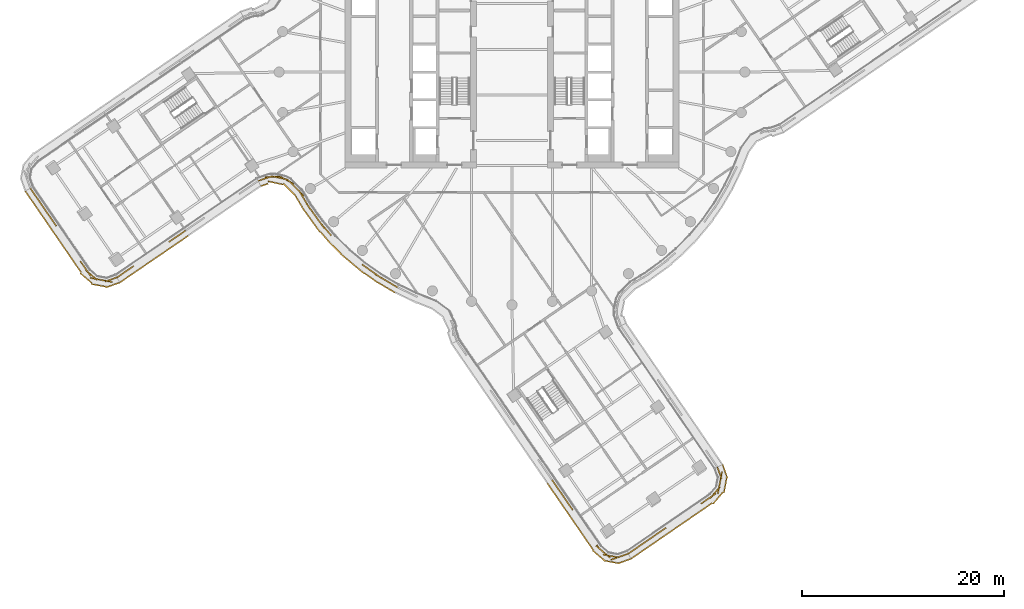
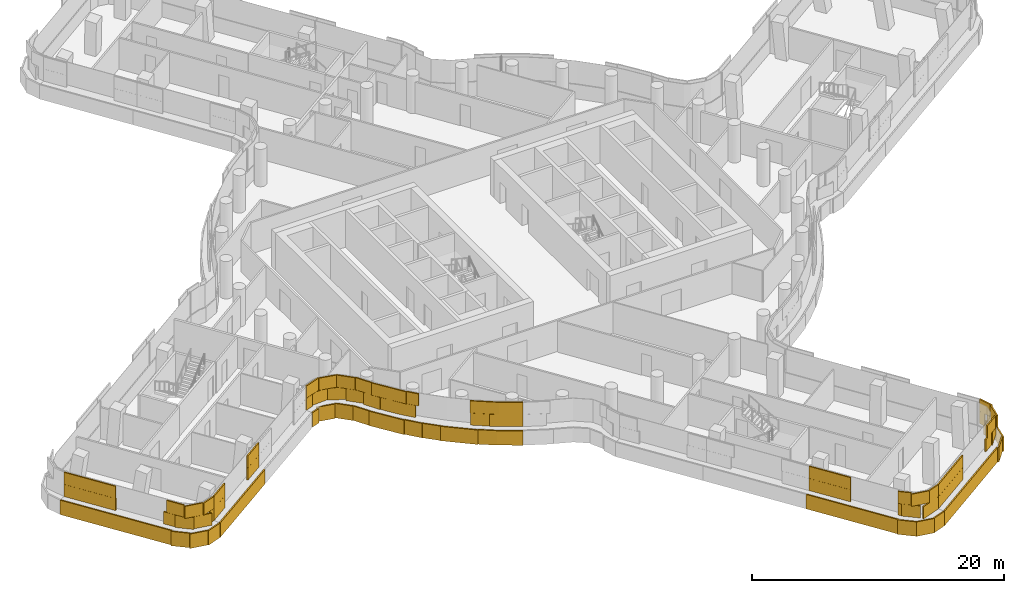
# One storey, part 27 of 33: 5 coverings.
"""IFC4 building model written with IfcOpenShell, lengths in metres."""

import ifcopenshell
import ifcopenshell.guid

model = None  # the IFC model being written
_history = None  # IfcOwnerHistory: only IFC2X3 demands one
_inside = {}  # id of a spatial element -> (the spatial element, [elements in it])
_under = {}  # id of a project, library or spatial element -> (it, [spatial elements below it])
_declared = {}  # id of a project -> (the project, [libraries it declares])
_typed = {}  # id of a type object -> (the type object, [elements of that type])
_made_of = {}  # id of a material, layer set ... -> (it, [elements and type objects made of it])


def new_model(schema):
    """Start an empty IFC model of exactly this schema.

    Asked for "IFC4X3", IfcOpenShell would pick the latest addendum, in which some entities
    have other attributes; the version numbers below select the first issue.
    IFC2X3 requires an IfcOwnerHistory on every rooted entity: one is made here for all.
    """
    global model, _history
    if schema == "IFC4X3":
        model = ifcopenshell.file(schema_version=(4, 3, 0, 0))
    else:
        model = ifcopenshell.file(schema=schema)
    _inside.clear()
    _under.clear()
    _declared.clear()
    _typed.clear()
    _made_of.clear()
    _history = None
    if model.schema == "IFC2X3":
        org = make("IfcOrganization", Name="unknown")
        user = make(
            "IfcPersonAndOrganization",
            ThePerson=make("IfcPerson", FamilyName="unknown"),
            TheOrganization=org,
        )
        app = make(
            "IfcApplication",
            ApplicationDeveloper=org,
            Version="unknown",
            ApplicationFullName="unknown",
            ApplicationIdentifier="unknown",
        )
        _history = make(
            "IfcOwnerHistory",
            OwningUser=user,
            OwningApplication=app,
            ChangeAction="ADDED",
            CreationDate=0,
        )
    return model


def make(cls, **values):
    """One entity of the class cls with the attributes given. An attribute that is None is left unset."""
    return model.create_entity(
        cls, **{name: value for name, value in values.items() if value is not None}
    )


def rooted(cls, **values):
    """An entity with a GlobalId (a new one), such as an element, a storey or a relation."""
    return make(cls, GlobalId=ifcopenshell.guid.new(), OwnerHistory=_history, **values)


def si_unit(unit_type, name, prefix=None):
    """IfcSIUnit, for example si_unit("LENGTHUNIT", "METRE", prefix="MILLI")."""
    return make("IfcSIUnit", UnitType=unit_type, Prefix=prefix, Name=name)


def assignment(units):
    """IfcUnitAssignment: the units of a project."""
    return None if units is None else make("IfcUnitAssignment", Units=units)


def point(xyz):
    """IfcCartesianPoint."""
    return None if xyz is None else make("IfcCartesianPoint", Coordinates=xyz)


def direction(xyz):
    """IfcDirection."""
    return None if xyz is None else make("IfcDirection", DirectionRatios=xyz)


def frame(location, z_axis=None, x_axis=None):
    """IfcAxis2Placement3D, a coordinate frame: its origin and axes. An axis left out is left unset."""
    return make(
        "IfcAxis2Placement3D",
        Location=point(location),
        Axis=direction(z_axis),
        RefDirection=direction(x_axis),
    )


def frame_2d(location, x_axis=None):
    """IfcAxis2Placement2D, a coordinate frame in the plane: its origin and x axis."""
    return make(
        "IfcAxis2Placement2D", Location=point(location), RefDirection=direction(x_axis)
    )


def origin():
    """The frame at (0, 0, 0) with its axes left unset."""
    return frame((0.0, 0.0, 0.0))


def origin_2d():
    """The frame at (0, 0) in the plane with its x axis left unset."""
    return frame_2d((0.0, 0.0))


def place(relative_to, where):
    """IfcLocalPlacement: puts the frame where relative to a parent placement (None: the world)."""
    return make(
        "IfcLocalPlacement", PlacementRelTo=relative_to, RelativePlacement=where
    )


def context(
    kind, dimensions, precision=None, world=None, true_north=None, identifier=None
):
    """IfcGeometricRepresentationContext, for example the 3D "Model" context."""
    return make(
        "IfcGeometricRepresentationContext",
        ContextIdentifier=identifier,
        ContextType=kind,
        CoordinateSpaceDimension=dimensions,
        Precision=precision,
        WorldCoordinateSystem=world,
        TrueNorth=true_north,
    )


def subcontext(parent, identifier, kind, view, scale=None):
    """IfcGeometricRepresentationSubContext, for example "Body" below "Model"."""
    return make(
        "IfcGeometricRepresentationSubContext",
        ContextIdentifier=identifier,
        ContextType=kind,
        ParentContext=parent,
        TargetScale=scale,
        TargetView=view,
    )


def project(units=None, contexts=None):
    """IfcProject with its units and contexts."""
    return rooted(
        "IfcProject",
        Name="project",
        RepresentationContexts=contexts,
        UnitsInContext=assignment(units),
    )


def spatial(cls, under=None, at=None, **own):
    """A site, building, storey or space (cls), placed at a placement, below another one or the project."""
    s = rooted(cls, ObjectPlacement=at, **own)
    if under is not None:
        _under.setdefault(under.id(), (under, []))[1].append(s)
    return s


def profile(cls, at=None, kind="AREA", **sizes):
    """A parametric profile (cls). Its sizes go by their IFC names, for example OverallWidth=200.0."""
    return make(cls, ProfileType=kind, Position=at, **sizes)


def rectangle(**sizes):
    """IfcRectangleProfileDef."""
    return profile("IfcRectangleProfileDef", **sizes)


def extrude(swept, where, along, depth):
    """IfcExtrudedAreaSolid: the profile swept, set in the frame where, extruded along a direction by depth."""
    return make(
        "IfcExtrudedAreaSolid",
        SweptArea=swept,
        Position=where,
        ExtrudedDirection=direction(along),
        Depth=depth,
    )


def shape(context_of_items, identifier, shape_type, items):
    """IfcShapeRepresentation: the items that make up one representation, for example the "Body"."""
    return make(
        "IfcShapeRepresentation",
        ContextOfItems=context_of_items,
        RepresentationIdentifier=identifier,
        RepresentationType=shape_type,
        Items=items,
    )


def material(Name=None, Category=None):
    """IfcMaterial."""
    return make("IfcMaterial", Name=Name, Category=Category)


def layer(
    of_material, thickness, ventilated=None, Name=None, Category=None, Priority=None
):
    """IfcMaterialLayer: one layer of a wall or slab, of a material (None: an air gap)."""
    return make(
        "IfcMaterialLayer",
        Material=of_material,
        LayerThickness=thickness,
        IsVentilated=ventilated,
        Name=Name,
        Category=Category,
        Priority=Priority,
    )


def layer_set(layers, Name=None):
    """IfcMaterialLayerSet."""
    return make("IfcMaterialLayerSet", MaterialLayers=layers, LayerSetName=Name)


def made_of(thing, what):
    """Note that an element or type object is made of a material, layer set ...; save() writes the relation."""
    if what is not None:
        _made_of.setdefault(what.id(), (what, []))[1].append(thing)
    return thing


def type_object(cls, material=None, **own):
    """A type object (cls), such as IfcWallType, which elements share."""
    return made_of(rooted(cls, **own), material)


def element(
    cls,
    number,
    at=None,
    inside=None,
    cuts=None,
    type_object=None,
    material=None,
    context=None,
    identifier="Body",
    shape_type=None,
    held_by="IfcProductDefinitionShape",
    body=None,
    shapes=None,
    **own,
):
    """One element of the class cls, such as IfcWall. Its Tag is "e" and its number.

    at: its placement. inside: the storey or other place that contains it. cuts: it is an
    opening in that element (IfcRelVoidsElement). A single representation is given by context,
    identifier, shape_type and body (its items); several are given by shapes. held_by: the class
    of the entity that holds the representations. save() writes the other relations.
    """
    e = rooted(cls, Tag="e%d" % number, ObjectPlacement=at, **own)
    if body is not None:
        shapes = [shape(context, identifier, shape_type, body)]
    if shapes is not None:
        e.Representation = make(held_by, Representations=shapes)
    if inside is not None:
        _inside.setdefault(inside.id(), (inside, []))[1].append(e)
    if cuts is not None:
        rooted(
            "IfcRelVoidsElement", RelatingBuildingElement=cuts, RelatedOpeningElement=e
        )
    if type_object is not None:
        _typed.setdefault(type_object.id(), (type_object, []))[1].append(e)
    return made_of(e, material)


def aggregate(whole, parts):
    """IfcRelAggregates: a whole, such as a stair, and the parts it consists of."""
    return rooted("IfcRelAggregates", RelatingObject=whole, RelatedObjects=parts)


def save(model, path):
    """Write the relations noted so far, then the file.

    IfcRelAggregates (storeys below a building ...), IfcRelContainedInSpatialStructure (elements
    in a storey), IfcRelDefinesByType, IfcRelAssociatesMaterial and IfcRelDeclares: one each for
    every whole, place, type object, material and project.
    """
    for whole, parts in _under.values():
        aggregate(whole, parts)
    for where, things in _inside.values():
        rooted(
            "IfcRelContainedInSpatialStructure",
            RelatedElements=things,
            RelatingStructure=where,
        )
    for kind, things in _typed.values():
        rooted("IfcRelDefinesByType", RelatedObjects=things, RelatingType=kind)
    for what, things in _made_of.values():
        rooted("IfcRelAssociatesMaterial", RelatedObjects=things, RelatingMaterial=what)
    for by, libraries in _declared.values():
        rooted("IfcRelDeclares", RelatingContext=by, RelatedDefinitions=libraries)
    model.write(path)


model = new_model("IFC4")

# Units and contexts
model_context = context("Model", 3, precision=1e-05, world=origin(), true_north=direction((0.0, 1.0)))
body_context = subcontext(model_context, "Body", "Model", "MODEL_VIEW")
ifc_project = project(units=[si_unit("LENGTHUNIT", "METRE"), si_unit("AREAUNIT", "SQUARE_METRE"), si_unit("VOLUMEUNIT", "CUBIC_METRE"), si_unit("PLANEANGLEUNIT", "RADIAN"), si_unit("MASSUNIT", "GRAM", prefix="KILO")], contexts=[model_context])

# Site, building, storey
site_placement = place(None, origin())
site = spatial("IfcSite", under=ifc_project, at=site_placement, CompositionType="ELEMENT")
building_placement = place(site_placement, origin())
building = spatial("IfcBuilding", under=site, at=building_placement, Name="Tamarind Cross Interchange Tower", CompositionType="ELEMENT")
storey_placement = place(building_placement, frame((0.0, 0.0, 159.25)))
storey = spatial("IfcBuildingStorey", under=building, at=storey_placement, Name="L39", CompositionType="ELEMENT", Elevation=159.25)

# Coverings
ifc_material = material(Name="Terracotta", Category="masonry")
ifc_layer = layer(ifc_material, 0.1201171875)
ifc_layer_set = layer_set([ifc_layer], Name="Terracotta")
covering_type = type_object("IfcCoveringType", Name="Terracotta baguette screen unit", PredefinedType="MOLDING", material=ifc_layer_set)
covering_1_placement = place(storey_placement, origin())
element("IfcCovering", 1, at=covering_1_placement, inside=storey, type_object=covering_type, Name="SCR-L39-00-00", PredefinedType="MOLDING", context=body_context, shape_type="SweptSolid", body=[
    extrude(rectangle(XDim=0.760009765625, YDim=0.1201171875, at=origin_2d()), frame((-47.36328125, -11.792724609375, 1.404052734375), z_axis=(0.0, 0.0, 1.0), x_axis=(0.566095508429, -0.824339660174, 0.0)), (0.0, 0.0, 1.0), 1.1669921875),
    extrude(rectangle(XDim=1.52001953125, YDim=0.1201171875, at=origin_2d()), frame((-46.7265625, -12.72021484375, 1.404052734375), z_axis=(0.0, 0.0, 1.0), x_axis=(0.566095508429, -0.824339660174, 0.0)), (0.0, 0.0, 1.0), 1.1669921875),
    extrude(rectangle(XDim=1.52001953125, YDim=0.1201171875, at=origin_2d()), frame((-45.87744140625, -13.956787109375, 1.404052734375), z_axis=(0.0, 0.0, 1.0), x_axis=(0.566095508429, -0.824339660174, 0.0)), (0.0, 0.0, 1.0), 1.1669921875),
    extrude(rectangle(XDim=0.784912109375, YDim=0.1201171875, at=origin_2d()), frame((-45.2333984375, -14.894287109375, 1.404052734375), z_axis=(0.0, 0.0, 1.0), x_axis=(0.566095508429, -0.824339660174, 0.0)), (0.0, 0.0, 1.0), 1.1669921875),
    extrude(rectangle(XDim=1.03515625, YDim=0.1201171875, at=origin_2d()), frame((-42.346435546875, -19.098388671875, 1.404052734375), z_axis=(0.0, 0.0, 1.0), x_axis=(0.566095508429, -0.824339660174, 0.0)), (0.0, 0.0, 1.0), 1.1669921875),
    extrude(rectangle(XDim=1.52001953125, YDim=0.1201171875, at=origin_2d()), frame((-41.539306640625, -20.05615234375, 1.404052734375), z_axis=(0.0, 0.0, 1.0), x_axis=(0.760161075424, -0.649734668468, 0.0)), (0.0, 0.0, 1.0), 1.1669921875),
    extrude(rectangle(XDim=1.52001953125, YDim=0.1201171875, at=origin_2d()), frame((-40.197265625, -20.60791015625, 1.404052734375), z_axis=(0.0, 0.0, 1.0), x_axis=(0.98318613652, -0.182606190901, 0.0)), (0.0, 0.0, 1.0), 1.1669921875),
    extrude(rectangle(XDim=0.509521484375, YDim=0.1201171875, at=origin_2d()), frame((-39.247314453125, -20.366455078125, 1.404052734375), z_axis=(0.0, 0.0, 1.0), x_axis=(0.942767266325, 0.333451468051, 0.0)), (0.0, 0.0, 1.0), 1.1669921875),
    extrude(rectangle(XDim=1.510009765625, YDim=0.1201171875, at=origin_2d()), frame((-47.151123046875, -12.101806640625, 2.5791015625), z_axis=(0.0, 0.0, 1.0), x_axis=(0.566095508429, -0.824339660174, 0.0)), (0.0, 0.0, 1.0), 1.1669921875),
    extrude(rectangle(XDim=1.52001953125, YDim=0.1201171875, at=origin_2d()), frame((-46.302001953125, -13.33837890625, 2.5791015625), z_axis=(0.0, 0.0, 1.0), x_axis=(0.566095508429, -0.824339660174, 0.0)), (0.0, 0.0, 1.0), 1.1669921875),
    extrude(rectangle(XDim=1.52001953125, YDim=0.1201171875, at=origin_2d()), frame((-45.452880859375, -14.574951171875, 2.5791015625), z_axis=(0.0, 0.0, 1.0), x_axis=(0.566095508429, -0.824339660174, 0.0)), (0.0, 0.0, 1.0), 1.1669921875),
    extrude(rectangle(XDim=1.52001953125, YDim=0.1201171875, at=origin_2d()), frame((-42.05615234375, -19.52099609375, 2.5791015625), z_axis=(0.0, 0.0, 1.0), x_axis=(0.566095508429, -0.824339660174, 0.0)), (0.0, 0.0, 1.0), 1.1669921875),
    extrude(rectangle(XDim=1.52001953125, YDim=0.1201171875, at=origin_2d()), frame((-40.9345703125, -20.470947265625, 2.5791015625), z_axis=(0.0, 0.0, 1.0), x_axis=(0.98318613652, -0.182606190901, 0.0)), (0.0, 0.0, 1.0), 1.1669921875),
    extrude(rectangle(XDim=1.259521484375, YDim=0.1201171875, at=origin_2d()), frame((-39.600830078125, -20.49169921875, 2.5791015625), z_axis=(0.0, 0.0, 1.0), x_axis=(0.942767266325, 0.333451468051, 0.0)), (0.0, 0.0, 1.0), 1.1669921875),
    extrude(rectangle(XDim=0.760009765625, YDim=0.1201171875, at=origin_2d()), frame((-47.87646484375, -12.0595703125, 0.00390625), z_axis=(0.0, 0.0, 1.0), x_axis=(0.566095508429, -0.824339660174, 0.0)), (0.0, 0.0, 1.0), 1.39208984375),
    extrude(rectangle(XDim=1.52001953125, YDim=0.1201171875, at=origin_2d()), frame((-47.242431640625, -12.98291015625, 0.00390625), z_axis=(0.0, 0.0, 1.0), x_axis=(0.566095508429, -0.824339660174, 0.0)), (0.0, 0.0, 1.0), 1.39208984375),
    extrude(rectangle(XDim=1.52001953125, YDim=0.1201171875, at=origin_2d()), frame((-46.393310546875, -14.21923828125, 0.00390625), z_axis=(0.0, 0.0, 1.0), x_axis=(0.566095508429, -0.824339660174, 0.0)), (0.0, 0.0, 1.0), 1.39208984375),
    extrude(rectangle(XDim=1.52001953125, YDim=0.1201171875, at=origin_2d()), frame((-45.544189453125, -15.455810546875, 0.00390625), z_axis=(0.0, 0.0, 1.0), x_axis=(0.566095508429, -0.824339660174, 0.0)), (0.0, 0.0, 1.0), 1.39208984375),
    extrude(rectangle(XDim=1.52001953125, YDim=0.1201171875, at=origin_2d()), frame((-44.695068359375, -16.6923828125, 0.00390625), z_axis=(0.0, 0.0, 1.0), x_axis=(0.566095508429, -0.824339660174, 0.0)), (0.0, 0.0, 1.0), 1.39208984375),
    extrude(rectangle(XDim=1.52001953125, YDim=0.1201171875, at=origin_2d()), frame((-43.845947265625, -17.928955078125, 0.00390625), z_axis=(0.0, 0.0, 1.0), x_axis=(0.566095508429, -0.824339660174, 0.0)), (0.0, 0.0, 1.0), 1.39208984375),
    extrude(rectangle(XDim=1.52001953125, YDim=0.1201171875, at=origin_2d()), frame((-42.996826171875, -19.165283203125, 0.00390625), z_axis=(0.0, 0.0, 1.0), x_axis=(0.566095508429, -0.824339660174, 0.0)), (0.0, 0.0, 1.0), 1.39208984375),
    extrude(rectangle(XDim=1.52001953125, YDim=0.1201171875, at=origin_2d()), frame((-42.08447265625, -20.344970703125, 0.00390625), z_axis=(0.0, 0.0, 1.0), x_axis=(0.760161075424, -0.649734668468, 0.0)), (0.0, 0.0, 1.0), 1.39208984375),
    extrude(rectangle(XDim=1.52001953125, YDim=0.1201171875, at=origin_2d()), frame((-40.827392578125, -21.07470703125, 0.00390625), z_axis=(0.0, 0.0, 1.0), x_axis=(0.98318613652, -0.182606190901, 0.0)), (0.0, 0.0, 1.0), 1.39208984375),
    extrude(rectangle(XDim=1.426513671875, YDim=0.1201171875, at=origin_2d()), frame((-39.422119140625, -21.037353515625, 0.00390625), z_axis=(0.0, 0.0, 1.0), x_axis=(0.942767266325, 0.333451468051, 0.0)), (0.0, 0.0, 1.0), 1.39208984375),
])
covering_2_placement = place(storey_placement, origin())
element("IfcCovering", 2, at=covering_2_placement, inside=storey, type_object=covering_type, Name="SCR-L39-01-00", PredefinedType="MOLDING", context=body_context, shape_type="SweptSolid", body=[
    extrude(rectangle(XDim=0.760009765625, YDim=0.1201171875, at=origin_2d()), frame((-38.702392578125, -20.07177734375, 1.404052734375), z_axis=(0.0, 0.0, 1.0), x_axis=(0.825569418072, 0.564300572341, 0.0)), (0.0, 0.0, 1.0), 1.1669921875),
    extrude(rectangle(XDim=1.2568359375, YDim=0.1201171875, at=origin_2d()), frame((-37.8779296875, -19.50830078125, 1.404052734375), z_axis=(0.0, 0.0, 1.0), x_axis=(0.825569418072, 0.564300572341, 0.0)), (0.0, 0.0, 1.0), 1.1669921875),
    extrude(rectangle(XDim=0.563232421875, YDim=0.1201171875, at=origin_2d()), frame((-33.667724609375, -16.63037109375, 1.404052734375), z_axis=(0.0, 0.0, 1.0), x_axis=(0.825569418072, 0.564300572341, 0.0)), (0.0, 0.0, 1.0), 1.1669921875),
    extrude(rectangle(XDim=1.45361328125, YDim=0.1201171875, at=origin_2d()), frame((-32.84326171875, -16.06689453125, 1.404052734375), z_axis=(0.0, 0.0, 1.0), x_axis=(0.825569418072, 0.564300572341, 0.0)), (0.0, 0.0, 1.0), 1.1669921875),
    extrude(rectangle(XDim=1.510009765625, YDim=0.1201171875, at=origin_2d()), frame((-38.392578125, -19.860107421875, 2.5791015625), z_axis=(0.0, 0.0, 1.0), x_axis=(0.825569418072, 0.564300572341, 0.0)), (0.0, 0.0, 1.0), 1.1669921875),
    extrude(rectangle(XDim=0.5068359375, YDim=0.1201171875, at=origin_2d()), frame((-37.568359375, -19.296630859375, 2.5791015625), z_axis=(0.0, 0.0, 1.0), x_axis=(0.825569418072, 0.564300572341, 0.0)), (0.0, 0.0, 1.0), 1.1669921875),
    extrude(rectangle(XDim=1.313232421875, YDim=0.1201171875, at=origin_2d()), frame((-33.35791015625, -16.418701171875, 2.5791015625), z_axis=(0.0, 0.0, 1.0), x_axis=(0.825569418072, 0.564300572341, 0.0)), (0.0, 0.0, 1.0), 1.1669921875),
    extrude(rectangle(XDim=0.70361328125, YDim=0.1201171875, at=origin_2d()), frame((-32.53369140625, -15.855224609375, 2.5791015625), z_axis=(0.0, 0.0, 1.0), x_axis=(0.825569418072, 0.564300572341, 0.0)), (0.0, 0.0, 1.0), 1.1669921875),
    extrude(rectangle(XDim=0.760009765625, YDim=0.1201171875, at=origin_2d()), frame((-38.43603515625, -20.5849609375, 0.00390625), z_axis=(0.0, 0.0, 1.0), x_axis=(0.825569418072, 0.564300572341, 0.0)), (0.0, 0.0, 1.0), 1.39208984375),
    extrude(rectangle(XDim=1.52001953125, YDim=0.1201171875, at=origin_2d()), frame((-37.511474609375, -19.952880859375, 0.00390625), z_axis=(0.0, 0.0, 1.0), x_axis=(0.825569418072, 0.564300572341, 0.0)), (0.0, 0.0, 1.0), 1.39208984375),
    extrude(rectangle(XDim=1.52001953125, YDim=0.1201171875, at=origin_2d()), frame((-36.273193359375, -19.1064453125, 0.00390625), z_axis=(0.0, 0.0, 1.0), x_axis=(0.825569418072, 0.564300572341, 0.0)), (0.0, 0.0, 1.0), 1.39208984375),
    extrude(rectangle(XDim=1.52001953125, YDim=0.1201171875, at=origin_2d()), frame((-35.03466796875, -18.260009765625, 0.00390625), z_axis=(0.0, 0.0, 1.0), x_axis=(0.825569418072, 0.564300572341, 0.0)), (0.0, 0.0, 1.0), 1.39208984375),
    extrude(rectangle(XDim=1.52001953125, YDim=0.1201171875, at=origin_2d()), frame((-33.79638671875, -17.41357421875, 0.00390625), z_axis=(0.0, 0.0, 1.0), x_axis=(0.825569418072, 0.564300572341, 0.0)), (0.0, 0.0, 1.0), 1.39208984375),
    extrude(rectangle(XDim=1.4521484375, YDim=0.1201171875, at=origin_2d()), frame((-32.5859375, -16.58642578125, 0.00390625), z_axis=(0.0, 0.0, 1.0), x_axis=(0.825569418072, 0.564300572341, 0.0)), (0.0, 0.0, 1.0), 1.39208984375),
])
covering_3_placement = place(storey_placement, origin())
element("IfcCovering", 3, at=covering_3_placement, inside=storey, type_object=covering_type, Name="SCR-L39-02-00", PredefinedType="MOLDING", context=body_context, shape_type="SweptSolid", body=[
    extrude(rectangle(XDim=0.760009765625, YDim=0.1201171875, at=origin_2d()), frame((-24.71875, -10.635009765625, 1.404052734375), z_axis=(0.0, 0.0, 1.0), x_axis=(0.946291071378, 0.323315957278, 0.0)), (0.0, 0.0, 1.0), 1.1669921875),
    extrude(rectangle(XDim=1.52001953125, YDim=0.1201171875, at=origin_2d()), frame((-23.6376953125, -10.356689453125, 1.404052734375), z_axis=(0.0, 0.0, 1.0), x_axis=(0.998392899356, 0.056671143595, 0.0)), (0.0, 0.0, 1.0), 1.1669921875),
    extrude(rectangle(XDim=1.52001953125, YDim=0.1201171875, at=origin_2d()), frame((-22.194091796875, -10.6982421875, 1.404052734375), z_axis=(0.0, 0.0, 1.0), x_axis=(0.883104175136, -0.469176955805, 0.0)), (0.0, 0.0, 1.0), 1.1669921875),
    extrude(rectangle(XDim=1.52001953125, YDim=0.1201171875, at=origin_2d()), frame((-21.093994140625, -11.705322265625, 1.404052734375), z_axis=(0.0, 0.0, 1.0), x_axis=(0.706797406726, -0.707416020348, 0.0)), (0.0, 0.0, 1.0), 1.1669921875),
    extrude(rectangle(XDim=1.52001953125, YDim=0.1201171875, at=origin_2d()), frame((-20.2861328125, -12.963623046875, 1.404052734375), z_axis=(0.0, 0.0, 1.0), x_axis=(0.51624774387, -0.856439295542, 0.0)), (0.0, 0.0, 1.0), 1.1669921875),
    extrude(rectangle(XDim=1.52001953125, YDim=0.1201171875, at=origin_2d()), frame((-19.432861328125, -14.1962890625, 1.404052734375), z_axis=(0.0, 0.0, 1.0), x_axis=(0.584573890505, -0.811340475102, 0.0)), (0.0, 0.0, 1.0), 1.1669921875),
    extrude(rectangle(XDim=1.52001953125, YDim=0.1201171875, at=origin_2d()), frame((-18.512939453125, -15.37939453125, 1.404052734375), z_axis=(0.0, 0.0, 1.0), x_axis=(0.64957723968, -0.760295606781, 0.0)), (0.0, 0.0, 1.0), 1.1669921875),
    extrude(rectangle(XDim=1.52001953125, YDim=0.1201171875, at=origin_2d()), frame((-14.148193359375, -19.4697265625, 1.404052734375), z_axis=(0.0, 0.0, 1.0), x_axis=(0.816341886298, -0.577568978284, 0.0)), (0.0, 0.0, 1.0), 1.1669921875),
    extrude(rectangle(XDim=1.52001953125, YDim=0.1201171875, at=origin_2d()), frame((-12.914794921875, -20.322021484375, 1.404052734375), z_axis=(0.0, 0.0, 1.0), x_axis=(0.861248933065, -0.508183308752, 0.0)), (0.0, 0.0, 1.0), 1.1669921875),
    extrude(rectangle(XDim=1.141845703125, YDim=0.1201171875, at=origin_2d()), frame((-11.781494140625, -20.99072265625, 1.404052734375), z_axis=(0.0, 0.0, 1.0), x_axis=(0.861248933065, -0.508183308752, 0.0)), (0.0, 0.0, 1.0), 1.1669921875),
    extrude(rectangle(XDim=1.510009765625, YDim=0.1201171875, at=origin_2d()), frame((-24.364013671875, -10.513671875, 2.5791015625), z_axis=(0.0, 0.0, 1.0), x_axis=(0.946291071378, 0.323315957278, 0.0)), (0.0, 0.0, 1.0), 1.1669921875),
    extrude(rectangle(XDim=1.52001953125, YDim=0.1201171875, at=origin_2d()), frame((-22.901123046875, -10.467529296875, 2.5791015625), z_axis=(0.0, 0.0, 1.0), x_axis=(0.976799296806, -0.214156797137, 0.0)), (0.0, 0.0, 1.0), 1.1669921875),
    extrude(rectangle(XDim=1.52001953125, YDim=0.1201171875, at=origin_2d()), frame((-21.6240234375, -11.174560546875, 2.5791015625), z_axis=(0.0, 0.0, 1.0), x_axis=(0.706797406726, -0.707416020348, 0.0)), (0.0, 0.0, 1.0), 1.1669921875),
    extrude(rectangle(XDim=1.52001953125, YDim=0.1201171875, at=origin_2d()), frame((-20.673095703125, -12.3212890625, 2.5791015625), z_axis=(0.0, 0.0, 1.0), x_axis=(0.51624774387, -0.856439295542, 0.0)), (0.0, 0.0, 1.0), 1.1669921875),
    extrude(rectangle(XDim=1.52001953125, YDim=0.1201171875, at=origin_2d()), frame((-19.871337890625, -13.587890625, 2.5791015625), z_axis=(0.0, 0.0, 1.0), x_axis=(0.584573890505, -0.811340475102, 0.0)), (0.0, 0.0, 1.0), 1.1669921875),
    extrude(rectangle(XDim=1.52001953125, YDim=0.1201171875, at=origin_2d()), frame((-18.994384765625, -14.804931640625, 2.5791015625), z_axis=(0.0, 0.0, 1.0), x_axis=(0.584573890505, -0.811340475102, 0.0)), (0.0, 0.0, 1.0), 1.1669921875),
    extrude(rectangle(XDim=1.002685546875, YDim=0.1201171875, at=origin_2d()), frame((-18.1904296875, -15.7568359375, 2.5791015625), z_axis=(0.0, 0.0, 1.0), x_axis=(0.64957723968, -0.760295606781, 0.0)), (0.0, 0.0, 1.0), 1.1669921875),
    extrude(rectangle(XDim=0.8173828125, YDim=0.1201171875, at=origin_2d()), frame((-14.477783203125, -19.236572265625, 2.5791015625), z_axis=(0.0, 0.0, 1.0), x_axis=(0.816341886298, -0.577568978284, 0.0)), (0.0, 0.0, 1.0), 1.1669921875),
    extrude(rectangle(XDim=1.52001953125, YDim=0.1201171875, at=origin_2d()), frame((-13.535888671875, -19.90283203125, 2.5791015625), z_axis=(0.0, 0.0, 1.0), x_axis=(0.816341886298, -0.577568978284, 0.0)), (0.0, 0.0, 1.0), 1.1669921875),
    extrude(rectangle(XDim=1.52001953125, YDim=0.1201171875, at=origin_2d()), frame((-12.268798828125, -20.703369140625, 2.5791015625), z_axis=(0.0, 0.0, 1.0), x_axis=(0.861248933065, -0.508183308752, 0.0)), (0.0, 0.0, 1.0), 1.1669921875),
    extrude(rectangle(XDim=0.391845703125, YDim=0.1201171875, at=origin_2d()), frame((-11.45849609375, -21.181396484375, 2.5791015625), z_axis=(0.0, 0.0, 1.0), x_axis=(0.861248933065, -0.508183308752, 0.0)), (0.0, 0.0, 1.0), 1.1669921875),
    extrude(rectangle(XDim=0.760009765625, YDim=0.1201171875, at=origin_2d()), frame((-24.45458984375, -11.151123046875, 0.00390625), z_axis=(0.0, 0.0, 1.0), x_axis=(0.946291071378, 0.323315957278, 0.0)), (0.0, 0.0, 1.0), 1.39208984375),
    extrude(rectangle(XDim=1.52001953125, YDim=0.1201171875, at=origin_2d()), frame((-23.372802734375, -10.95166015625, 0.00390625), z_axis=(0.0, 0.0, 1.0), x_axis=(0.976799296806, -0.214156797137, 0.0)), (0.0, 0.0, 1.0), 1.39208984375),
    extrude(rectangle(XDim=1.52001953125, YDim=0.1201171875, at=origin_2d()), frame((-22.049560546875, -11.560791015625, 0.00390625), z_axis=(0.0, 0.0, 1.0), x_axis=(0.706797406726, -0.707416020348, 0.0)), (0.0, 0.0, 1.0), 1.39208984375),
    extrude(rectangle(XDim=1.52001953125, YDim=0.1201171875, at=origin_2d()), frame((-21.10693359375, -12.7138671875, 0.00390625), z_axis=(0.0, 0.0, 1.0), x_axis=(0.51624774387, -0.856439295542, 0.0)), (0.0, 0.0, 1.0), 1.39208984375),
    extrude(rectangle(XDim=1.52001953125, YDim=0.1201171875, at=origin_2d()), frame((-20.298828125, -13.976318359375, 0.00390625), z_axis=(0.0, 0.0, 1.0), x_axis=(0.584573890505, -0.811340475102, 0.0)), (0.0, 0.0, 1.0), 1.39208984375),
    extrude(rectangle(XDim=1.52001953125, YDim=0.1201171875, at=origin_2d()), frame((-19.422119140625, -15.193115234375, 0.00390625), z_axis=(0.0, 0.0, 1.0), x_axis=(0.584573890505, -0.811340475102, 0.0)), (0.0, 0.0, 1.0), 1.39208984375),
    extrude(rectangle(XDim=1.52001953125, YDim=0.1201171875, at=origin_2d()), frame((-18.45068359375, -16.3359375, 0.00390625), z_axis=(0.0, 0.0, 1.0), x_axis=(0.64957723968, -0.760295606781, 0.0)), (0.0, 0.0, 1.0), 1.39208984375),
    extrude(rectangle(XDim=1.52001953125, YDim=0.1201171875, at=origin_2d()), frame((-17.4208984375, -17.425048828125, 0.00390625), z_axis=(0.0, 0.0, 1.0), x_axis=(0.710143317658, -0.704057148523, 0.0)), (0.0, 0.0, 1.0), 1.39208984375),
    extrude(rectangle(XDim=1.52001953125, YDim=0.1201171875, at=origin_2d()), frame((-16.33447265625, -18.4580078125, 0.00390625), z_axis=(0.0, 0.0, 1.0), x_axis=(0.765858396687, -0.643009266048, 0.0)), (0.0, 0.0, 1.0), 1.39208984375),
    extrude(rectangle(XDim=1.52001953125, YDim=0.1201171875, at=origin_2d()), frame((-15.185791015625, -19.42236328125, 0.00390625), z_axis=(0.0, 0.0, 1.0), x_axis=(0.765858396687, -0.643009266048, 0.0)), (0.0, 0.0, 1.0), 1.39208984375),
    extrude(rectangle(XDim=1.52001953125, YDim=0.1201171875, at=origin_2d()), frame((-13.96923828125, -20.29931640625, 0.00390625), z_axis=(0.0, 0.0, 1.0), x_axis=(0.816341886298, -0.577568978284, 0.0)), (0.0, 0.0, 1.0), 1.39208984375),
    extrude(rectangle(XDim=1.52001953125, YDim=0.1201171875, at=origin_2d()), frame((-12.708740234375, -21.110107421875, 0.00390625), z_axis=(0.0, 0.0, 1.0), x_axis=(0.861248933065, -0.508183308752, 0.0)), (0.0, 0.0, 1.0), 1.39208984375),
    extrude(rectangle(XDim=0.58984375, YDim=0.1201171875, at=origin_2d()), frame((-11.817626953125, -21.635986328125, 0.00390625), z_axis=(0.0, 0.0, 1.0), x_axis=(0.861248933065, -0.508183308752, 0.0)), (0.0, 0.0, 1.0), 1.39208984375),
])
covering_4_placement = place(storey_placement, origin())
element("IfcCovering", 4, at=covering_4_placement, inside=storey, type_object=covering_type, Name="SCR-L39-03-02", PredefinedType="MOLDING", context=body_context, shape_type="SweptSolid", body=[
    extrude(rectangle(XDim=0.63134765625, YDim=0.1201171875, at=origin_2d()), frame((4.126953125, -40.533935546875, 1.404052734375), z_axis=(0.0, 0.0, 1.0), x_axis=(0.566095508429, -0.824339660174, 0.0)), (0.0, 0.0, 1.0), 1.1669921875),
    extrude(rectangle(XDim=1.52001953125, YDim=0.1201171875, at=origin_2d()), frame((4.727294921875, -41.408203125, 1.404052734375), z_axis=(0.0, 0.0, 1.0), x_axis=(0.566095508429, -0.824339660174, 0.0)), (0.0, 0.0, 1.0), 1.1669921875),
    extrude(rectangle(XDim=1.502685546875, YDim=0.1201171875, at=origin_2d()), frame((5.574462890625, -42.641845703125, 1.404052734375), z_axis=(0.0, 0.0, 1.0), x_axis=(0.566095508429, -0.824339660174, 0.0)), (0.0, 0.0, 1.0), 1.1669921875),
    extrude(rectangle(XDim=0.3173828125, YDim=0.1201171875, at=origin_2d()), frame((8.46142578125, -46.845947265625, 1.404052734375), z_axis=(0.0, 0.0, 1.0), x_axis=(0.566095508429, -0.824339660174, 0.0)), (0.0, 0.0, 1.0), 1.1669921875),
    extrude(rectangle(XDim=1.52001953125, YDim=0.1201171875, at=origin_2d()), frame((9.10302734375, -47.473876953125, 1.404052734375), z_axis=(0.0, 0.0, 1.0), x_axis=(0.760161075424, -0.649734668468, 0.0)), (0.0, 0.0, 1.0), 1.1669921875),
    extrude(rectangle(XDim=1.52001953125, YDim=0.1201171875, at=origin_2d()), frame((10.487548828125, -47.927978515625, 1.404052734375), z_axis=(0.0, 0.0, 1.0), x_axis=(0.942767266325, 0.333451468051, 0.0)), (0.0, 0.0, 1.0), 1.1669921875),
    extrude(rectangle(XDim=0.316650390625, YDim=0.1201171875, at=origin_2d()), frame((11.339111328125, -47.626708984375, 1.404052734375), z_axis=(0.0, 0.0, 1.0), x_axis=(0.942767266325, 0.333451468051, 0.0)), (0.0, 0.0, 1.0), 1.1669921875),
    extrude(rectangle(XDim=1.38134765625, YDim=0.1201171875, at=origin_2d()), frame((4.339111328125, -40.843017578125, 2.5791015625), z_axis=(0.0, 0.0, 1.0), x_axis=(0.566095508429, -0.824339660174, 0.0)), (0.0, 0.0, 1.0), 1.1669921875),
    extrude(rectangle(XDim=1.52001953125, YDim=0.1201171875, at=origin_2d()), frame((5.15185546875, -42.026611328125, 2.5791015625), z_axis=(0.0, 0.0, 1.0), x_axis=(0.566095508429, -0.824339660174, 0.0)), (0.0, 0.0, 1.0), 1.1669921875),
    extrude(rectangle(XDim=0.752685546875, YDim=0.1201171875, at=origin_2d()), frame((5.78662109375, -42.950927734375, 2.5791015625), z_axis=(0.0, 0.0, 1.0), x_axis=(0.566095508429, -0.824339660174, 0.0)), (0.0, 0.0, 1.0), 1.1669921875),
    extrude(rectangle(XDim=1.0673828125, YDim=0.1201171875, at=origin_2d()), frame((8.701171875, -47.13037109375, 2.5791015625), z_axis=(0.0, 0.0, 1.0), x_axis=(0.760161075424, -0.649734668468, 0.0)), (0.0, 0.0, 1.0), 1.1669921875),
    extrude(rectangle(XDim=1.52001953125, YDim=0.1201171875, at=origin_2d()), frame((9.750732421875, -47.798583984375, 2.5791015625), z_axis=(0.0, 0.0, 1.0), x_axis=(0.98318613652, -0.182606190901, 0.0)), (0.0, 0.0, 1.0), 1.1669921875),
    extrude(rectangle(XDim=1.066650390625, YDim=0.1201171875, at=origin_2d()), frame((10.985595703125, -47.751708984375, 2.5791015625), z_axis=(0.0, 0.0, 1.0), x_axis=(0.942767266325, 0.333451468051, 0.0)), (0.0, 0.0, 1.0), 1.1669921875),
    extrude(rectangle(XDim=0.52783203125, YDim=0.1201171875, at=origin_2d()), frame((3.64111328125, -40.840576171875, 0.00390625), z_axis=(0.0, 0.0, 1.0), x_axis=(0.566095508429, -0.824339660174, 0.0)), (0.0, 0.0, 1.0), 1.39208984375),
    extrude(rectangle(XDim=1.52001953125, YDim=0.1201171875, at=origin_2d()), frame((4.20947265625, -41.66796875, 0.00390625), z_axis=(0.0, 0.0, 1.0), x_axis=(0.566095508429, -0.824339660174, 0.0)), (0.0, 0.0, 1.0), 1.39208984375),
    extrude(rectangle(XDim=1.52001953125, YDim=0.1201171875, at=origin_2d()), frame((5.05859375, -42.904541015625, 0.00390625), z_axis=(0.0, 0.0, 1.0), x_axis=(0.566095508429, -0.824339660174, 0.0)), (0.0, 0.0, 1.0), 1.39208984375),
    extrude(rectangle(XDim=1.52001953125, YDim=0.1201171875, at=origin_2d()), frame((5.90771484375, -44.14111328125, 0.00390625), z_axis=(0.0, 0.0, 1.0), x_axis=(0.566095508429, -0.824339660174, 0.0)), (0.0, 0.0, 1.0), 1.39208984375),
    extrude(rectangle(XDim=1.52001953125, YDim=0.1201171875, at=origin_2d()), frame((6.7568359375, -45.37744140625, 0.00390625), z_axis=(0.0, 0.0, 1.0), x_axis=(0.566095508429, -0.824339660174, 0.0)), (0.0, 0.0, 1.0), 1.39208984375),
    extrude(rectangle(XDim=1.52001953125, YDim=0.1201171875, at=origin_2d()), frame((7.60595703125, -46.614013671875, 0.00390625), z_axis=(0.0, 0.0, 1.0), x_axis=(0.566095508429, -0.824339660174, 0.0)), (0.0, 0.0, 1.0), 1.39208984375),
    extrude(rectangle(XDim=1.52001953125, YDim=0.1201171875, at=origin_2d()), frame((8.554931640625, -47.7607421875, 0.00390625), z_axis=(0.0, 0.0, 1.0), x_axis=(0.760161075424, -0.649734668468, 0.0)), (0.0, 0.0, 1.0), 1.39208984375),
    extrude(rectangle(XDim=1.52001953125, YDim=0.1201171875, at=origin_2d()), frame((9.8544921875, -48.401611328125, 0.00390625), z_axis=(0.0, 0.0, 1.0), x_axis=(0.98318613652, -0.182606190901, 0.0)), (0.0, 0.0, 1.0), 1.39208984375),
    extrude(rectangle(XDim=1.237548828125, YDim=0.1201171875, at=origin_2d()), frame((11.162841796875, -48.2978515625, 0.00390625), z_axis=(0.0, 0.0, 1.0), x_axis=(0.942767266325, 0.333451468051, 0.0)), (0.0, 0.0, 1.0), 1.39208984375),
])
covering_5_placement = place(storey_placement, origin())
element("IfcCovering", 5, at=covering_5_placement, inside=storey, type_object=covering_type, Name="SCR-L39-04-00", PredefinedType="MOLDING", context=body_context, shape_type="SweptSolid", body=[
    extrude(rectangle(XDim=0.760009765625, YDim=0.1201171875, at=origin_2d()), frame((11.792724609375, -47.36328125, 1.404052734375), z_axis=(0.0, 0.0, 1.0), x_axis=(0.824339660174, 0.566095508429, 0.0)), (0.0, 0.0, 1.0), 1.1669921875),
    extrude(rectangle(XDim=1.52001953125, YDim=0.1201171875, at=origin_2d()), frame((12.72021484375, -46.7265625, 1.404052734375), z_axis=(0.0, 0.0, 1.0), x_axis=(0.824339660174, 0.566095508429, 0.0)), (0.0, 0.0, 1.0), 1.1669921875),
    extrude(rectangle(XDim=1.52001953125, YDim=0.1201171875, at=origin_2d()), frame((13.956787109375, -45.87744140625, 1.404052734375), z_axis=(0.0, 0.0, 1.0), x_axis=(0.824339660174, 0.566095508429, 0.0)), (0.0, 0.0, 1.0), 1.1669921875),
    extrude(rectangle(XDim=0.784912109375, YDim=0.1201171875, at=origin_2d()), frame((14.894287109375, -45.2333984375, 1.404052734375), z_axis=(0.0, 0.0, 1.0), x_axis=(0.824339660174, 0.566095508429, 0.0)), (0.0, 0.0, 1.0), 1.1669921875),
    extrude(rectangle(XDim=1.03515625, YDim=0.1201171875, at=origin_2d()), frame((19.098388671875, -42.346435546875, 1.404052734375), z_axis=(0.0, 0.0, 1.0), x_axis=(0.824339660174, 0.566095508429, 0.0)), (0.0, 0.0, 1.0), 1.1669921875),
    extrude(rectangle(XDim=1.52001953125, YDim=0.1201171875, at=origin_2d()), frame((20.05615234375, -41.539306640625, 1.404052734375), z_axis=(0.0, 0.0, 1.0), x_axis=(0.649734668468, 0.760161075424, 0.0)), (0.0, 0.0, 1.0), 1.1669921875),
    extrude(rectangle(XDim=1.52001953125, YDim=0.1201171875, at=origin_2d()), frame((20.60791015625, -40.197265625, 1.404052734375), z_axis=(0.0, 0.0, 1.0), x_axis=(0.182606190901, 0.98318613652, 0.0)), (0.0, 0.0, 1.0), 1.1669921875),
    extrude(rectangle(XDim=0.509521484375, YDim=0.1201171875, at=origin_2d()), frame((20.366455078125, -39.247314453125, 1.404052734375), z_axis=(0.0, 0.0, 1.0), x_axis=(-0.333451468051, 0.942767266325, 0.0)), (0.0, 0.0, 1.0), 1.1669921875),
    extrude(rectangle(XDim=1.510009765625, YDim=0.1201171875, at=origin_2d()), frame((12.101806640625, -47.151123046875, 2.5791015625), z_axis=(0.0, 0.0, 1.0), x_axis=(0.824339660174, 0.566095508429, 0.0)), (0.0, 0.0, 1.0), 1.1669921875),
    extrude(rectangle(XDim=1.52001953125, YDim=0.1201171875, at=origin_2d()), frame((13.33837890625, -46.302001953125, 2.5791015625), z_axis=(0.0, 0.0, 1.0), x_axis=(0.824339660174, 0.566095508429, 0.0)), (0.0, 0.0, 1.0), 1.1669921875),
    extrude(rectangle(XDim=1.52001953125, YDim=0.1201171875, at=origin_2d()), frame((14.574951171875, -45.452880859375, 2.5791015625), z_axis=(0.0, 0.0, 1.0), x_axis=(0.824339660174, 0.566095508429, 0.0)), (0.0, 0.0, 1.0), 1.1669921875),
    extrude(rectangle(XDim=1.52001953125, YDim=0.1201171875, at=origin_2d()), frame((19.52099609375, -42.05615234375, 2.5791015625), z_axis=(0.0, 0.0, 1.0), x_axis=(0.824339660174, 0.566095508429, 0.0)), (0.0, 0.0, 1.0), 1.1669921875),
    extrude(rectangle(XDim=1.52001953125, YDim=0.1201171875, at=origin_2d()), frame((20.470947265625, -40.9345703125, 2.5791015625), z_axis=(0.0, 0.0, 1.0), x_axis=(0.182606190901, 0.98318613652, 0.0)), (0.0, 0.0, 1.0), 1.1669921875),
    extrude(rectangle(XDim=1.259521484375, YDim=0.1201171875, at=origin_2d()), frame((20.49169921875, -39.600830078125, 2.5791015625), z_axis=(0.0, 0.0, 1.0), x_axis=(-0.333451468051, 0.942767266325, 0.0)), (0.0, 0.0, 1.0), 1.1669921875),
    extrude(rectangle(XDim=0.760009765625, YDim=0.1201171875, at=origin_2d()), frame((12.0595703125, -47.87646484375, 0.00390625), z_axis=(0.0, 0.0, 1.0), x_axis=(0.824339660174, 0.566095508429, 0.0)), (0.0, 0.0, 1.0), 1.39208984375),
    extrude(rectangle(XDim=1.52001953125, YDim=0.1201171875, at=origin_2d()), frame((12.98291015625, -47.242431640625, 0.00390625), z_axis=(0.0, 0.0, 1.0), x_axis=(0.824339660174, 0.566095508429, 0.0)), (0.0, 0.0, 1.0), 1.39208984375),
    extrude(rectangle(XDim=1.52001953125, YDim=0.1201171875, at=origin_2d()), frame((14.21923828125, -46.393310546875, 0.00390625), z_axis=(0.0, 0.0, 1.0), x_axis=(0.824339660174, 0.566095508429, 0.0)), (0.0, 0.0, 1.0), 1.39208984375),
    extrude(rectangle(XDim=1.52001953125, YDim=0.1201171875, at=origin_2d()), frame((15.455810546875, -45.544189453125, 0.00390625), z_axis=(0.0, 0.0, 1.0), x_axis=(0.824339660174, 0.566095508429, 0.0)), (0.0, 0.0, 1.0), 1.39208984375),
    extrude(rectangle(XDim=1.52001953125, YDim=0.1201171875, at=origin_2d()), frame((16.6923828125, -44.695068359375, 0.00390625), z_axis=(0.0, 0.0, 1.0), x_axis=(0.824339660174, 0.566095508429, 0.0)), (0.0, 0.0, 1.0), 1.39208984375),
    extrude(rectangle(XDim=1.52001953125, YDim=0.1201171875, at=origin_2d()), frame((17.928955078125, -43.845947265625, 0.00390625), z_axis=(0.0, 0.0, 1.0), x_axis=(0.824339660174, 0.566095508429, 0.0)), (0.0, 0.0, 1.0), 1.39208984375),
    extrude(rectangle(XDim=1.52001953125, YDim=0.1201171875, at=origin_2d()), frame((19.165283203125, -42.996826171875, 0.00390625), z_axis=(0.0, 0.0, 1.0), x_axis=(0.824339660174, 0.566095508429, 0.0)), (0.0, 0.0, 1.0), 1.39208984375),
    extrude(rectangle(XDim=1.52001953125, YDim=0.1201171875, at=origin_2d()), frame((20.344970703125, -42.08447265625, 0.00390625), z_axis=(0.0, 0.0, 1.0), x_axis=(0.649734668468, 0.760161075424, 0.0)), (0.0, 0.0, 1.0), 1.39208984375),
    extrude(rectangle(XDim=1.52001953125, YDim=0.1201171875, at=origin_2d()), frame((21.07470703125, -40.827392578125, 0.00390625), z_axis=(0.0, 0.0, 1.0), x_axis=(0.182606190901, 0.98318613652, 0.0)), (0.0, 0.0, 1.0), 1.39208984375),
    extrude(rectangle(XDim=1.426513671875, YDim=0.1201171875, at=origin_2d()), frame((21.037353515625, -39.422119140625, 0.00390625), z_axis=(0.0, 0.0, 1.0), x_axis=(-0.333451468051, 0.942767266325, 0.0)), (0.0, 0.0, 1.0), 1.39208984375),
])

save(model, "model.ifc")
